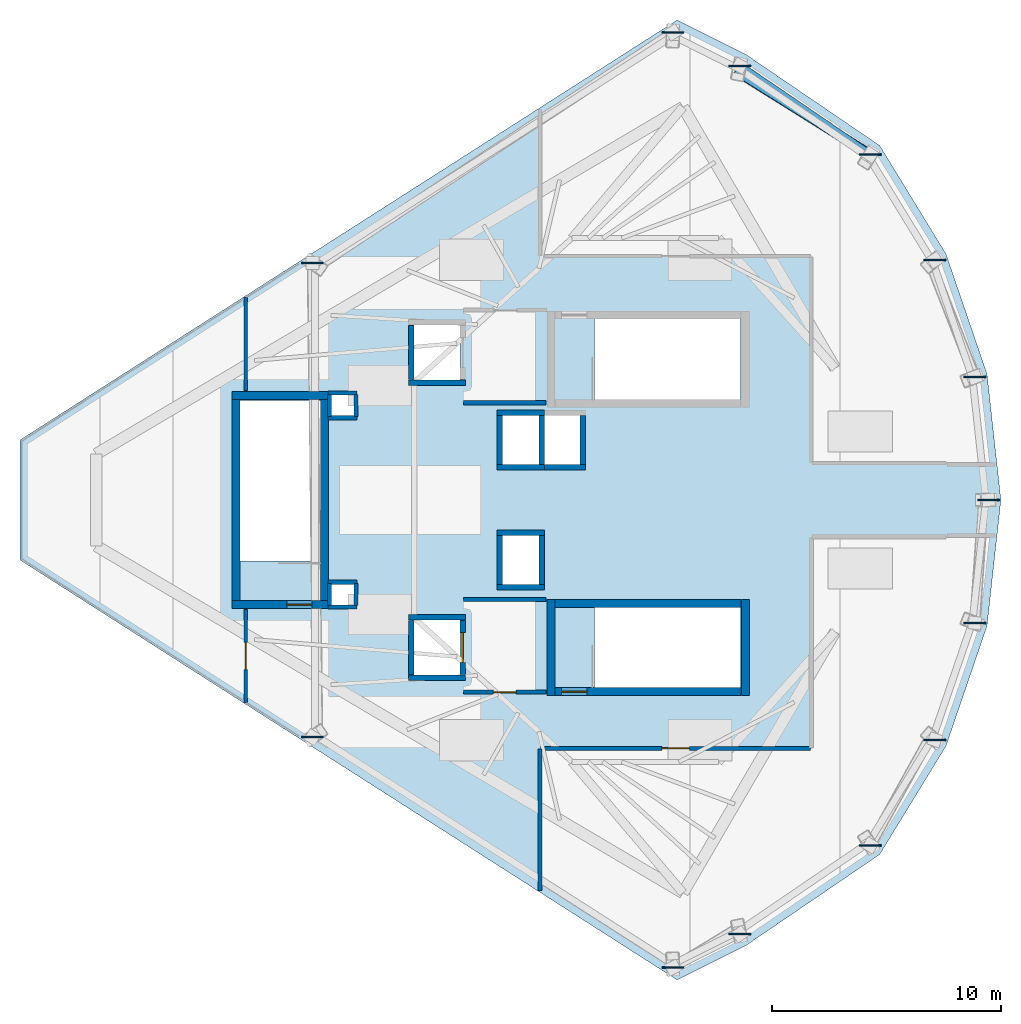
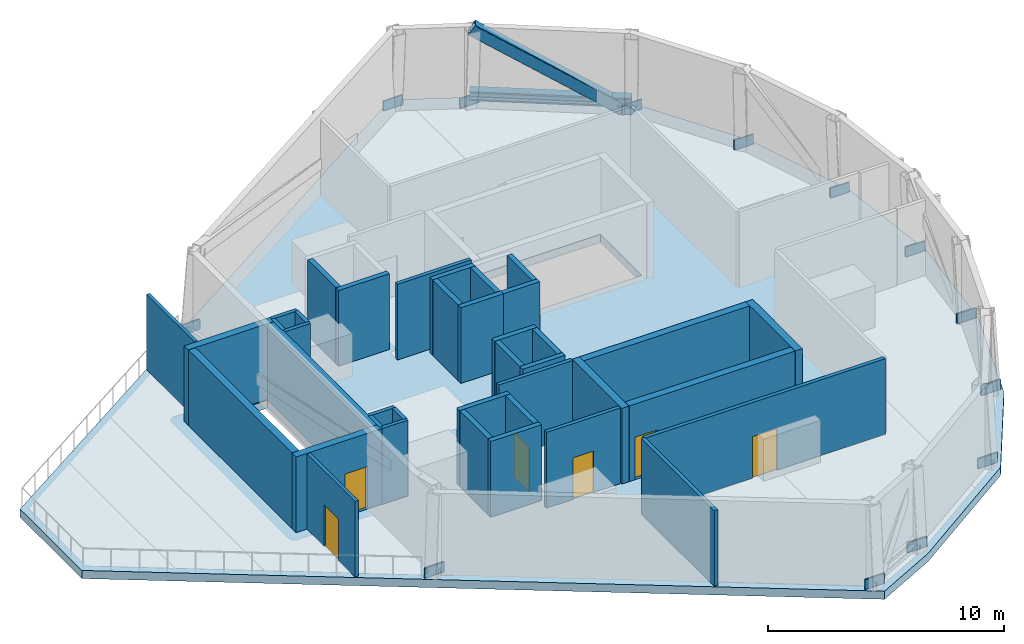
# One storey, part 2 of 4: 39 walls, 13 plates, 6 doors, 2 members, 1 slab, 6 openings.
"""IFC4 building model written with IfcOpenShell, lengths in metres."""

from ifc_helpers import new_model, si_unit, direction, frame, frame_2d, origin, origin_2d, place, context, subcontext, project, spatial, polyline, rectangle, hollow_rectangle, i_section, outline, extrude, material, layer, layer_set, material_profile, profile_set, type_object, element, fill, save


model = new_model("IFC4")

# Units and contexts
model_context = context("Model", 3, precision=1e-05, world=origin(), true_north=direction((0.0, 1.0)))
body_context = subcontext(model_context, "Body", "Model", "MODEL_VIEW")
ifc_project = project(units=[si_unit("LENGTHUNIT", "METRE"), si_unit("AREAUNIT", "SQUARE_METRE"), si_unit("VOLUMEUNIT", "CUBIC_METRE"), si_unit("PLANEANGLEUNIT", "RADIAN"), si_unit("MASSUNIT", "GRAM", prefix="KILO")], contexts=[model_context])

# Site, building, storey
site_placement = place(None, origin())
site = spatial("IfcSite", under=ifc_project, at=site_placement, CompositionType="ELEMENT")
building_placement = place(site_placement, origin())
building = spatial("IfcBuilding", under=site, at=building_placement, Name="Qorvath Tower", CompositionType="ELEMENT")
storey_placement = place(building_placement, frame((0.0, 0.0, 327.0)))
storey = spatial("IfcBuildingStorey", under=building, at=storey_placement, Name="L76", CompositionType="ELEMENT", Elevation=327.0)

# Members
ifc_material_1 = material(Name="Steel ASTM A572 Grade 50", Category="steel")
ifc_material_profile_1 = material_profile(ifc_material_1, hollow_rectangle(XDim=0.449951171875, YDim=0.60009765625, WallThickness=0.02490234375, InnerFilletRadius=0.02490234375, OuterFilletRadius=0.050048828125, at=origin_2d()), Name="CROWN BOX 600x450x25")
ifc_profile_set_1 = profile_set([ifc_material_profile_1], Name="Steel ASTM A572 Grade 50")
member_type_1 = type_object("IfcMemberType", Name="MEM-CF2", PredefinedType="USERDEFINED", material=ifc_profile_set_1)
member_1_placement = place(storey_placement, frame((-10.559814453125, 15.095703125, 0.0), z_axis=(-0.721424421859, 0.450661036278, 0.525786490817), x_axis=(-0.529805140065, -0.848119398175, 0.0)))
element("IfcMember", 1, at=member_1_placement, inside=storey, type_object=member_type_1, Name="CROWN FRAME Diagonal Brace L76-11", ObjectType="CROWN FRAME", PredefinedType="USERDEFINED", context=body_context, shape_type="SweptSolid", body=[
    extrude(hollow_rectangle(XDim=0.449951171875, YDim=0.60009765625, WallThickness=0.02490234375, InnerFilletRadius=0.02490234375, OuterFilletRadius=0.050048828125, at=origin_2d()), origin(), (0.0, 0.0, 1.0), 7.988037109375),
])
ifc_material_2 = material(Name="Steel ASTM A913 Grade 65", Category="steel")
ifc_material_profile_2 = material_profile(ifc_material_2, i_section(OverallWidth=0.4189453125, OverallDepth=0.455078125, WebThickness=0.0419921875, FlangeThickness=0.067626953125, FilletRadius=0.02490234375, at=origin_2d()), Name="W14x370")
ifc_profile_set_2 = profile_set([ifc_material_profile_2], Name="Steel ASTM A913 Grade 65")
member_type_2 = type_object("IfcMemberType", Name="MEM-OT2", PredefinedType="CHORD", material=ifc_profile_set_2)
member_2_placement = place(storey_placement, frame((-10.5810546875, 15.061767578125, 0.6298828125), z_axis=(-0.826662042424, 0.562698736107, 0.0), x_axis=(-0.562698736107, -0.826662042424, 0.0)))
element("IfcMember", 2, at=member_2_placement, inside=storey, type_object=member_type_2, Name="Belt Truss Chord L76-2", PredefinedType="CHORD", context=body_context, shape_type="SweptSolid", body=[
    extrude(i_section(OverallWidth=0.4189453125, OverallDepth=0.455078125, WebThickness=0.0419921875, FlangeThickness=0.067626953125, FilletRadius=0.02490234375, at=origin_2d()), origin(), (0.0, 0.0, 1.0), 6.8876953125),
])

# Plates
ifc_material_3 = material(Name="Steel ASTM A572 Grade 50", Category="steel")
ifc_layer_1 = layer(ifc_material_3, 0.06494140625)
ifc_layer_set_1 = layer_set([ifc_layer_1], Name="PL-CFB1")
plate_type = type_object("IfcPlateType", Name="PL-CFB1", PredefinedType="SHEET", material=ifc_layer_set_1)
for number, where, z_axis, x_axis, name in (
    (3, (-34.949951171875, 10.365478515625, -0.4423828125), (0.0, 0.0, 1.0), (1.0, 0.0, 0.0), "Crown Frame Leg Base Plate CFB-01"),
    (4, (-34.949951171875, -10.365478515625, -0.4423828125), (0.0, 0.0, 1.0), (1.0, 0.0, 0.0), "Crown Frame Leg Base Plate CFB-02"),
    (5, (-19.1865234375, -20.440185546875, -0.4423828125), (0.0, 0.0, 1.0), (1.0, 0.0, 0.0), "Crown Frame Leg Base Plate CFB-03"),
    (6, (-16.2666015625, -18.980224609375, -0.4423828125), (0.0, 0.0, 1.0), (1.0, 0.0, 0.0), "Crown Frame Leg Base Plate CFB-04"),
    (7, (-10.559814453125, -15.095703125, -0.4423828125), (0.0, 0.0, 1.0), (1.0, 0.0, 0.0), "Crown Frame Leg Base Plate CFB-05"),
    (8, (-7.739013671875, -10.485595703125, -0.4423828125), (0.0, 0.0, 1.0), (1.0, 0.0, 0.0), "Crown Frame Leg Base Plate CFB-06"),
    (9, (-5.990478515625, -5.371826171875, -0.4423828125), (0.0, 0.0, 1.0), (1.0, 0.0, 0.0), "Crown Frame Leg Base Plate CFB-07"),
    (10, (-5.398193359375, 0.0, -0.4423828125), (0.0, 0.0, 1.0), (1.0, 0.0, 0.0), "Crown Frame Leg Base Plate CFB-08"),
    (11, (-5.990478515625, 5.371826171875, -0.4423828125), (0.0, 0.0, 1.0), (1.0, 0.0, 0.0), "Crown Frame Leg Base Plate CFB-09"),
    (12, (-7.739013671875, 10.485595703125, -0.4423828125), (0.0, 0.0, 1.0), (1.0, 0.0, 0.0), "Crown Frame Leg Base Plate CFB-10"),
    (13, (-10.559814453125, 15.095703125, -0.4423828125), (0.0, 0.0, 1.0), (1.0, 0.0, 0.0), "Crown Frame Leg Base Plate CFB-11"),
    (14, (-16.2666015625, 18.980224609375, -0.4423828125), (0.0, 0.0, 1.0), (1.0, 0.0, 0.0), "Crown Frame Leg Base Plate CFB-12"),
    (15, (-19.1865234375, 20.440185546875, -0.4423828125), (0.0, 0.0, 1.0), (1.0, 0.0, 0.0), "Crown Frame Leg Base Plate CFB-13"),
):
    element("IfcPlate", number, at=place(storey_placement, frame(where, z_axis=z_axis, x_axis=x_axis)), inside=storey, type_object=plate_type, Name=name, PredefinedType="SHEET", context=body_context, shape_type="SweptSolid", body=[
        extrude(rectangle(XDim=0.949951171875, YDim=0.06494140625, at=origin_2d()), origin(), (0.0, 0.0, 1.0), 0.949951171875),
    ])

# Slab
ifc_material_4 = material(Name="Concrete C50/60", Category="concrete")
ifc_layer_2 = layer(ifc_material_4, 0.419921875)
ifc_layer_set_2 = layer_set([ifc_layer_2], Name="SL-TRF-420")
slab_type = type_object("IfcSlabType", Name="SL-TRF-420", PredefinedType="FLOOR", material=ifc_layer_set_2)
slab_placement = place(storey_placement, frame((0.0, 0.0, -0.419921875)))
element("IfcSlab", 16, at=slab_placement, inside=storey, type_object=slab_type, Name="Tower Crown Mechanical Transfer Deck L76", PredefinedType="FLOOR", context=body_context, shape_type="SweptSolid", body=[
    extrude(outline(polyline([(-47.733154296875, 2.623046875), (-47.733154296875, -2.623046875), (-19.00537109375, -20.98388671875), (-16.0078125, -19.485107421875), (-10.149169921875, -15.4970703125), (-7.25341796875, -10.764404296875), (-5.45849609375, -5.5146484375), (-4.850341796875, 0.0), (-5.45849609375, 5.5146484375), (-7.25341796875, 10.764404296875), (-10.149169921875, 15.4970703125), (-16.0078125, 19.485107421875), (-19.00537109375, 20.98388671875), (-47.733154296875, 2.623046875)]), holes=[polyline([(-16.2451171875, -8.199951171875), (-22.625, -8.199951171875), (-22.625, -4.68994140625), (-16.2451171875, -4.68994140625), (-16.2451171875, -8.199951171875)]), polyline([(-22.625, 4.39990234375), (-22.625, 7.909912109375), (-16.2451171875, 7.909912109375), (-16.2451171875, 4.39990234375), (-22.625, 4.39990234375)]), polyline([(-23.25, 1.550048828125), (-24.85009765625, 1.550048828125), (-24.85009765625, 3.699951171875), (-23.25, 3.699951171875), (-23.25, 1.550048828125)]), polyline([(-26.64990234375, -3.699951171875), (-26.64990234375, -1.550048828125), (-25.050048828125, -1.550048828125), (-25.050048828125, -3.699951171875), (-26.64990234375, -3.699951171875)]), polyline([(-25.050048828125, 1.550048828125), (-26.64990234375, 1.550048828125), (-26.64990234375, 3.699951171875), (-25.050048828125, 3.699951171875), (-25.050048828125, 1.550048828125)]), polyline([(-28.5, -7.64990234375), (-30.5, -7.64990234375), (-30.5, -5.25), (-28.5, -5.25), (-28.5, -7.64990234375)]), polyline([(-30.5, 5.25), (-30.5, 7.64990234375), (-28.5, 7.64990234375), (-28.5, 5.25), (-30.5, 5.25)]), polyline([(-33.10009765625, -4.6201171875), (-34.14990234375, -4.6201171875), (-34.14990234375, -3.64990234375), (-33.10009765625, -3.64990234375), (-33.10009765625, -4.6201171875)]), polyline([(-33.10009765625, 3.64990234375), (-34.14990234375, 3.64990234375), (-34.14990234375, 4.6201171875), (-33.10009765625, 4.6201171875), (-33.10009765625, 3.64990234375)]), polyline([(-34.60009765625, -2.675048828125), (-38.110107421875, -2.675048828125), (-38.110107421875, 4.35498046875), (-34.60009765625, 4.35498046875), (-34.60009765625, -2.675048828125)])]), origin(), (0.0, 0.0, 1.0), 0.419921875),
])

# Walls
ifc_material_5 = material(Name="Gypsum shaftliner on steel studs", Category="steel")
ifc_layer_3 = layer(ifc_material_5, 0.179931640625)
ifc_layer_set_3 = layer_set([ifc_layer_3], Name="FW-LOBBY")
wall_type_1 = type_object("IfcWallType", Name="FW-LOBBY", PredefinedType="PARTITIONING", material=ifc_layer_set_3)
for number, where, z_axis, x_axis, name in (
    (17, (-32.989990234375, 3.594970703125, 0.0), (0.0, 0.0, 1.0), (-1.0, 0.0, 0.0), "MEP Riser Shaft Enclosure Wall N-L76-S"),
    (18, (-34.260009765625, 4.675048828125, 0.0), (0.0, 0.0, 1.0), (1.0, 0.0, 0.0), "MEP Riser Shaft Enclosure Wall N-L76-N"),
):
    element("IfcWall", number, at=place(storey_placement, frame(where, z_axis=z_axis, x_axis=x_axis)), inside=storey, type_object=wall_type_1, Name=name, PredefinedType="PARTITIONING", context=body_context, shape_type="SweptSolid", body=[
        extrude(rectangle(XDim=1.27001953125, YDim=0.179931640625, at=frame_2d((0.635009765625, 0.0))), origin(), (0.0, 0.0, 1.0), 3.919921875),
    ])
for number, where, z_axis, x_axis, name in (
    (19, (-34.205078125, 3.659912109375, 0.0), (0.0, 0.0, 1.0), (0.0, 1.0, 0.0), "MEP Riser Shaft Enclosure Wall N-L76-W"),
    (20, (-33.044921875, 4.610107421875, 0.0), (0.0, 0.0, 1.0), (0.0, -1.0, 0.0), "MEP Riser Shaft Enclosure Wall N-L76-E"),
):
    element("IfcWall", number, at=place(storey_placement, frame(where, z_axis=z_axis, x_axis=x_axis)), inside=storey, type_object=wall_type_1, Name=name, PredefinedType="PARTITIONING", context=body_context, shape_type="SweptSolid", body=[
        extrude(rectangle(XDim=0.9501953125, YDim=0.179931640625, at=frame_2d((0.47509765625, 0.0))), origin(), (0.0, 0.0, 1.0), 3.919921875),
    ])
for number, where, z_axis, x_axis, name in (
    (21, (-32.989990234375, -4.675048828125, 0.0), (0.0, 0.0, 1.0), (-1.0, 0.0, 0.0), "MEP Riser Shaft Enclosure Wall S-L76-S"),
    (22, (-34.260009765625, -3.594970703125, 0.0), (0.0, 0.0, 1.0), (1.0, 0.0, 0.0), "MEP Riser Shaft Enclosure Wall S-L76-N"),
):
    element("IfcWall", number, at=place(storey_placement, frame(where, z_axis=z_axis, x_axis=x_axis)), inside=storey, type_object=wall_type_1, Name=name, PredefinedType="PARTITIONING", context=body_context, shape_type="SweptSolid", body=[
        extrude(rectangle(XDim=1.27001953125, YDim=0.179931640625, at=frame_2d((0.635009765625, 0.0))), origin(), (0.0, 0.0, 1.0), 3.919921875),
    ])
for number, where, z_axis, x_axis, name in (
    (23, (-34.205078125, -4.610107421875, 0.0), (0.0, 0.0, 1.0), (0.0, 1.0, 0.0), "MEP Riser Shaft Enclosure Wall S-L76-W"),
    (24, (-33.044921875, -3.659912109375, 0.0), (0.0, 0.0, 1.0), (0.0, -1.0, 0.0), "MEP Riser Shaft Enclosure Wall S-L76-E"),
):
    element("IfcWall", number, at=place(storey_placement, frame(where, z_axis=z_axis, x_axis=x_axis)), inside=storey, type_object=wall_type_1, Name=name, PredefinedType="PARTITIONING", context=body_context, shape_type="SweptSolid", body=[
        extrude(rectangle(XDim=0.9501953125, YDim=0.179931640625, at=frame_2d((0.47509765625, 0.0))), origin(), (0.0, 0.0, 1.0), 3.919921875),
    ])
wall_1_placement = place(storey_placement, frame((-28.35498046875, 4.25, 0.0), z_axis=(0.0, 0.0, 1.0), x_axis=(1.0, 0.0, 0.0)))
element("IfcWall", 25, at=wall_1_placement, inside=storey, type_object=wall_type_1, Name="Interior Partition IW-T1-L76-001", PredefinedType="PARTITIONING", context=body_context, shape_type="SweptSolid", body=[
    extrude(rectangle(XDim=3.6220703125, YDim=0.179931640625, at=frame_2d((1.81103515625, 0.0))), origin(), (0.0, 0.0, 1.0), 3.919921875),
])

# Wall, opening, door
wall_2_placement = place(storey_placement, frame((-28.35498046875, -8.39990234375, 0.0), z_axis=(0.0, 0.0, 1.0), x_axis=(1.0, 0.0, 0.0)))
wall_2 = element("IfcWall", 26, at=wall_2_placement, inside=storey, type_object=wall_type_1, Name="Interior Partition IW-T1-L76-003", PredefinedType="PARTITIONING", context=body_context, shape_type="SweptSolid", body=[
    extrude(rectangle(XDim=3.6220703125, YDim=0.179931640625, at=frame_2d((1.81103515625, 0.0))), origin(), (0.0, 0.0, 1.0), 3.919921875),
])
opening_1_placement = place(wall_2_placement, frame((1.31103515625, 0.0, 0.0)))
opening_1 = element("IfcOpeningElement", 27, at=opening_1_placement, cuts=wall_2, Name="Opening D-T1-L76-05", PredefinedType="OPENING", context=body_context, shape_type="SweptSolid", body=[
    extrude(rectangle(XDim=1.0, YDim=2.14990234375, at=frame_2d((0.5, 1.074951171875))), frame((0.0, 0.10009765625, 0.0), z_axis=(0.0, -1.0, 0.0), x_axis=(1.0, 0.0, 0.0)), (0.0, 0.0, 1.0), 0.199951171875),
])
ifc_material_6 = material(Name="Painted galvanised hollow metal", Category="steel")
door_type_1 = type_object("IfcDoorType", Name="FD-60", OperationType="NOTDEFINED", PredefinedType="DOOR", material=ifc_material_6)
door_1_placement = place(opening_1_placement, origin())
door_1 = element("IfcDoor", 28, at=door_1_placement, inside=storey, type_object=door_type_1, Name="Lobby Fire Service Elevator South Door D-T1-L76-05", OperationType="SINGLE_SWING_LEFT", OverallHeight=2.14990234375, OverallWidth=1.0, PredefinedType="DOOR", context=body_context, shape_type="SweptSolid", body=[
    extrude(rectangle(XDim=1.0, YDim=2.14990234375, at=frame_2d((0.5, 1.074951171875))), frame((0.0, 0.02490234375, 0.0), z_axis=(0.0, -1.0, 0.0), x_axis=(1.0, 0.0, 0.0)), (0.0, 0.0, 1.0), 0.050048828125),
])
fill(opening_1, door_1)

# Wall
wall_3_placement = place(storey_placement, frame((-24.73291015625, -4.35009765625, 0.0), z_axis=(0.0, 0.0, 1.0), x_axis=(-1.0, 0.0, 0.0)))
element("IfcWall", 29, at=wall_3_placement, inside=storey, type_object=wall_type_1, Name="Interior Partition IW-T1-L76-004", PredefinedType="PARTITIONING", context=body_context, shape_type="SweptSolid", body=[
    extrude(rectangle(XDim=3.6220703125, YDim=0.179931640625, at=frame_2d((1.81103515625, 0.0))), origin(), (0.0, 0.0, 1.0), 3.919921875),
])

# Wall, opening, door
wall_4_placement = place(storey_placement, frame((-13.1669921875, -10.85791015625, 0.0), z_axis=(0.0, 0.0, 1.0), x_axis=(-1.0, 0.0, 0.0)))
wall_4 = element("IfcWall", 30, at=wall_4_placement, inside=storey, type_object=wall_type_1, Name="Interior Partition IW-T1-L76-015", PredefinedType="PARTITIONING", context=body_context, shape_type="SweptSolid", body=[
    extrude(rectangle(XDim=11.80810546875, YDim=0.179931640625, at=frame_2d((5.904052734375, 0.0))), origin(), (0.0, 0.0, 1.0), 3.919921875),
])
opening_2_placement = place(wall_4_placement, frame((5.303955078125, 0.0, 0.0)))
opening_2 = element("IfcOpeningElement", 31, at=opening_2_placement, cuts=wall_4, Name="Opening D-T1-L76-03", PredefinedType="OPENING", context=body_context, shape_type="SweptSolid", body=[
    extrude(rectangle(XDim=1.199951171875, YDim=2.14990234375, at=frame_2d((0.60009765625, 1.074951171875))), frame((0.0, 0.10009765625, 0.0), z_axis=(0.0, -1.0, 0.0), x_axis=(1.0, 0.0, 0.0)), (0.0, 0.0, 1.0), 0.199951171875),
])
ifc_material_7 = material(Name="Painted galvanised hollow metal", Category="steel")
door_type_2 = type_object("IfcDoorType", Name="FD-60W", OperationType="NOTDEFINED", PredefinedType="DOOR", material=ifc_material_7)
door_2_placement = place(opening_2_placement, origin())
door_2 = element("IfcDoor", 32, at=door_2_placement, inside=storey, type_object=door_type_2, Name="Plant Electrical Switchgear Room L76 Door D-T1-L76-03", OperationType="SINGLE_SWING_LEFT", OverallHeight=2.14990234375, OverallWidth=1.199951171875, PredefinedType="DOOR", context=body_context, shape_type="SweptSolid", body=[
    extrude(rectangle(XDim=1.199951171875, YDim=2.14990234375, at=frame_2d((0.60009765625, 1.074951171875))), frame((0.0, 0.02490234375, 0.0), z_axis=(0.0, -1.0, 0.0), x_axis=(1.0, 0.0, 0.0)), (0.0, 0.0, 1.0), 0.050048828125),
])
fill(opening_2, door_2)

# Wall
wall_5_placement = place(storey_placement, frame((-25.0, -10.8828125, 0.0), z_axis=(0.0, 0.0, 1.0), x_axis=(0.0, -1.0, 0.0)))
element("IfcWall", 33, at=wall_5_placement, inside=storey, type_object=wall_type_1, Name="Interior Partition IW-T1-L76-016", PredefinedType="PARTITIONING", context=body_context, shape_type="SweptSolid", body=[
    extrude(rectangle(XDim=6.189697265625, YDim=0.179931640625, at=frame_2d((3.0947265625, 0.0))), origin(), (0.0, 0.0, 1.0), 3.919921875),
])

# Wall, opening, door
ifc_material_8 = material(Name="Double acoustic gypsum board on steel studs", Category="steel")
ifc_layer_4 = layer(ifc_material_8, 0.159912109375)
ifc_layer_set_4 = layer_set([ifc_layer_4], Name="IW-ACOUSTIC-160")
wall_type_2 = type_object("IfcWallType", Name="IW-ACOUSTIC-160", PredefinedType="PARTITIONING", material=ifc_layer_set_4)
wall_6_placement = place(storey_placement, frame((-37.85791015625, -8.8544921875, 0.0), z_axis=(0.0, 0.0, 1.0), x_axis=(0.0, 1.0, 0.0)))
wall_6 = element("IfcWall", 34, at=wall_6_placement, inside=storey, type_object=wall_type_2, Name="Interior Partition IW-T1-L76-005", PredefinedType="PARTITIONING", context=body_context, shape_type="SweptSolid", body=[
    extrude(rectangle(XDim=4.0712890625, YDim=0.159912109375, at=frame_2d((2.03564453125, 0.0))), origin(), (0.0, 0.0, 1.0), 3.919921875),
])
opening_3_placement = place(wall_6_placement, frame((1.435546875, 0.0, 0.0)))
opening_3 = element("IfcOpeningElement", 35, at=opening_3_placement, cuts=wall_6, Name="Opening D-T1-L76-01", PredefinedType="OPENING", context=body_context, shape_type="SweptSolid", body=[
    extrude(rectangle(XDim=1.199951171875, YDim=2.14990234375, at=frame_2d((0.60009765625, 1.074951171875))), frame((0.0, 0.08984375, 0.0), z_axis=(0.0, -1.0, 0.0), x_axis=(1.0, 0.0, 0.0)), (0.0, 0.0, 1.0), 0.179931640625),
])
ifc_material_9 = material(Name="Painted hollow steel utility leaf", Category="steel")
door_type_3 = type_object("IfcDoorType", Name="D-05", OperationType="NOTDEFINED", PredefinedType="DOOR", material=ifc_material_9)
door_3_placement = place(opening_3_placement, origin())
door_3 = element("IfcDoor", 36, at=door_3_placement, inside=storey, type_object=door_type_3, Name="Plant Hydronic Pumping Room L76 Door D-T1-L76-01", OperationType="SINGLE_SWING_LEFT", OverallHeight=2.14990234375, OverallWidth=1.199951171875, PredefinedType="DOOR", context=body_context, shape_type="SweptSolid", body=[
    extrude(rectangle(XDim=1.199951171875, YDim=2.14990234375, at=frame_2d((0.60009765625, 1.074951171875))), frame((0.0, 0.02490234375, 0.0), z_axis=(0.0, -1.0, 0.0), x_axis=(1.0, 0.0, 0.0)), (0.0, 0.0, 1.0), 0.050048828125),
])
fill(opening_3, door_3)

# Walls
wall_7_placement = place(storey_placement, frame((-37.85791015625, 4.783203125, 0.0), z_axis=(0.0, 0.0, 1.0), x_axis=(0.0, 1.0, 0.0)))
element("IfcWall", 37, at=wall_7_placement, inside=storey, type_object=wall_type_2, Name="Interior Partition IW-T1-L76-006", PredefinedType="PARTITIONING", context=body_context, shape_type="SweptSolid", body=[
    extrude(rectangle(XDim=4.0712890625, YDim=0.159912109375, at=frame_2d((2.03564453125, 0.0))), origin(), (0.0, 0.0, 1.0), 3.919921875),
])
ifc_material_10 = material(Name="Concrete C60/75", Category="concrete")
ifc_layer_5 = layer(ifc_material_10, 0.260009765625)
ifc_layer_set_5 = layer_set([ifc_layer_5], Name="SW-SHAFT")
wall_type_3 = type_object("IfcWallType", Name="SW-SHAFT", PredefinedType="SHEAR", material=ifc_layer_set_5)
wall_8_placement = place(storey_placement, frame((-28.260009765625, 5.1298828125, 0.0), z_axis=(0.0, 0.0, 1.0), x_axis=(-1.0, 0.0, 0.0)))
element("IfcWall", 38, at=wall_8_placement, inside=storey, type_object=wall_type_3, Name="Hoistway Wall FSAE-1 L76 S", PredefinedType="SHEAR", context=body_context, shape_type="SweptSolid", body=[
    extrude(rectangle(XDim=2.47998046875, YDim=0.239990234375, at=frame_2d((1.239990234375, 0.0))), origin(), (0.0, 0.0, 1.0), 3.919921875),
])
wall_9_placement = place(storey_placement, frame((-30.6201171875, 5.261962890625, 0.0), z_axis=(0.0, 0.0, 1.0), x_axis=(0.0, 1.0, 0.0)))
element("IfcWall", 39, at=wall_9_placement, inside=storey, type_object=wall_type_3, Name="Hoistway Wall FSAE-1 L76 W", PredefinedType="SHEAR", context=body_context, shape_type="SweptSolid", body=[
    extrude(rectangle(XDim=2.3759765625, YDim=0.239990234375, at=frame_2d((1.18798828125, 0.0))), origin(), (0.0, 0.0, 1.0), 3.919921875),
])
for number, where, z_axis, x_axis, name in (
    (40, (-28.260009765625, -7.77001953125, 0.0), (0.0, 0.0, 1.0), (-1.0, 0.0, 0.0), "Hoistway Wall FSAE-2 L76 S"),
    (41, (-30.739990234375, -5.1298828125, 0.0), (0.0, 0.0, 1.0), (1.0, 0.0, 0.0), "Hoistway Wall FSAE-2 L76 N"),
):
    element("IfcWall", number, at=place(storey_placement, frame(where, z_axis=z_axis, x_axis=x_axis)), inside=storey, type_object=wall_type_3, Name=name, PredefinedType="SHEAR", context=body_context, shape_type="SweptSolid", body=[
        extrude(rectangle(XDim=2.47998046875, YDim=0.239990234375, at=frame_2d((1.239990234375, 0.0))), origin(), (0.0, 0.0, 1.0), 3.919921875),
    ])
wall_10_placement = place(storey_placement, frame((-30.6201171875, -7.637939453125, 0.0), z_axis=(0.0, 0.0, 1.0), x_axis=(0.0, 1.0, 0.0)))
element("IfcWall", 42, at=wall_10_placement, inside=storey, type_object=wall_type_3, Name="Hoistway Wall FSAE-2 L76 W", PredefinedType="SHEAR", context=body_context, shape_type="SweptSolid", body=[
    extrude(rectangle(XDim=2.3759765625, YDim=0.239990234375, at=frame_2d((1.18798828125, 0.0))), origin(), (0.0, 0.0, 1.0), 3.919921875),
])

# Wall, opening, door
wall_11_placement = place(storey_placement, frame((-28.3798828125, -5.261962890625, 0.0), z_axis=(0.0, 0.0, 1.0), x_axis=(0.0, -1.0, 0.0)))
wall_11 = element("IfcWall", 43, at=wall_11_placement, inside=storey, type_object=wall_type_3, Name="Hoistway Wall FSAE-2 L76 E", PredefinedType="SHEAR", context=body_context, shape_type="SweptSolid", body=[
    extrude(rectangle(XDim=2.3759765625, YDim=0.239990234375, at=frame_2d((1.18798828125, 0.0))), origin(), (0.0, 0.0, 1.0), 3.919921875),
])
opening_4_placement = place(wall_11_placement, frame((0.5380859375, 0.0, 0.0)))
opening_4 = element("IfcOpeningElement", 44, at=opening_4_placement, cuts=wall_11, Name="Opening LD-FSAE-2-L76", PredefinedType="OPENING", context=body_context, shape_type="SweptSolid", body=[
    extrude(rectangle(XDim=1.300048828125, YDim=2.300048828125, at=frame_2d((0.64990234375, 1.14990234375))), frame((0.0, 0.1298828125, 0.0), z_axis=(0.0, -1.0, 0.0), x_axis=(1.0, 0.0, 0.0)), (0.0, 0.0, 1.0), 0.260009765625),
])
ifc_material_11 = material(Name="Brushed stainless steel AISI 316", Category="steel")
door_type_4 = type_object("IfcDoorType", Name="LD-02", OperationType="NOTDEFINED", PredefinedType="DOOR", material=ifc_material_11)
door_4_placement = place(opening_4_placement, origin())
door_4 = element("IfcDoor", 45, at=door_4_placement, inside=storey, type_object=door_type_4, Name="Elevator Landing Sliding Door LD-FSAE-2-L76", OperationType="DOUBLE_DOOR_SLIDING", OverallHeight=2.300048828125, OverallWidth=1.300048828125, PredefinedType="DOOR", context=body_context, shape_type="SweptSolid", body=[
    extrude(rectangle(XDim=1.300048828125, YDim=2.300048828125, at=frame_2d((0.64990234375, 1.14990234375))), frame((0.0, 0.02490234375, 0.0), z_axis=(0.0, -1.0, 0.0), x_axis=(1.0, 0.0, 0.0)), (0.0, 0.0, 1.0), 0.050048828125),
])
fill(opening_4, door_4)

# Walls
for number, where, z_axis, x_axis, name in (
    (46, (-24.81005859375, 1.429931640625, 0.0), (0.0, 0.0, 1.0), (-1.0, 0.0, 0.0), "Hoistway Wall PH-1 L76 S"),
    (47, (-26.889892578125, 3.820068359375, 0.0), (0.0, 0.0, 1.0), (1.0, 0.0, 0.0), "Hoistway Wall PH-1 L76 N"),
):
    element("IfcWall", number, at=place(storey_placement, frame(where, z_axis=z_axis, x_axis=x_axis)), inside=storey, type_object=wall_type_3, Name=name, PredefinedType="SHEAR", context=body_context, shape_type="SweptSolid", body=[
        extrude(rectangle(XDim=2.079833984375, YDim=0.239990234375, at=frame_2d((1.0400390625, 0.0))), origin(), (0.0, 0.0, 1.0), 3.919921875),
    ])
for number, where, z_axis, x_axis, name in (
    (48, (-26.77001953125, 1.56201171875, 0.0), (0.0, 0.0, 1.0), (0.0, 1.0, 0.0), "Hoistway Wall PH-1 L76 W"),
    (49, (-24.929931640625, 3.68798828125, 0.0), (0.0, 0.0, 1.0), (0.0, -1.0, 0.0), "Hoistway Wall PH-1 L76 E"),
):
    element("IfcWall", number, at=place(storey_placement, frame(where, z_axis=z_axis, x_axis=x_axis)), inside=storey, type_object=wall_type_3, Name=name, PredefinedType="SHEAR", context=body_context, shape_type="SweptSolid", body=[
        extrude(rectangle(XDim=2.1259765625, YDim=0.239990234375, at=frame_2d((1.06298828125, 0.0))), origin(), (0.0, 0.0, 1.0), 3.919921875),
    ])
wall_12_placement = place(storey_placement, frame((-23.010009765625, 1.429931640625, 0.0), z_axis=(0.0, 0.0, 1.0), x_axis=(-1.0, 0.0, 0.0)))
element("IfcWall", 50, at=wall_12_placement, inside=storey, type_object=wall_type_3, Name="Hoistway Wall PH-2 L76 S", PredefinedType="SHEAR", context=body_context, shape_type="SweptSolid", body=[
    extrude(rectangle(XDim=1.800048828125, YDim=0.239990234375, at=frame_2d((0.89990234375, 0.0))), origin(), (0.0, 0.0, 1.0), 3.919921875),
])
wall_13_placement = place(storey_placement, frame((-23.1298828125, 3.68798828125, 0.0), z_axis=(0.0, 0.0, 1.0), x_axis=(0.0, -1.0, 0.0)))
element("IfcWall", 51, at=wall_13_placement, inside=storey, type_object=wall_type_3, Name="Hoistway Wall PH-2 L76 E", PredefinedType="SHEAR", context=body_context, shape_type="SweptSolid", body=[
    extrude(rectangle(XDim=2.1259765625, YDim=0.239990234375, at=frame_2d((1.06298828125, 0.0))), origin(), (0.0, 0.0, 1.0), 3.919921875),
])
for number, where, z_axis, x_axis, name in (
    (52, (-24.81005859375, -3.820068359375, 0.0), (0.0, 0.0, 1.0), (-1.0, 0.0, 0.0), "Hoistway Wall PH-3 L76 S"),
    (53, (-26.889892578125, -1.429931640625, 0.0), (0.0, 0.0, 1.0), (1.0, 0.0, 0.0), "Hoistway Wall PH-3 L76 N"),
):
    element("IfcWall", number, at=place(storey_placement, frame(where, z_axis=z_axis, x_axis=x_axis)), inside=storey, type_object=wall_type_3, Name=name, PredefinedType="SHEAR", context=body_context, shape_type="SweptSolid", body=[
        extrude(rectangle(XDim=2.079833984375, YDim=0.239990234375, at=frame_2d((1.0400390625, 0.0))), origin(), (0.0, 0.0, 1.0), 3.919921875),
    ])
for number, where, z_axis, x_axis, name in (
    (54, (-26.77001953125, -3.68798828125, 0.0), (0.0, 0.0, 1.0), (0.0, 1.0, 0.0), "Hoistway Wall PH-3 L76 W"),
    (55, (-24.929931640625, -1.56201171875, 0.0), (0.0, 0.0, 1.0), (0.0, -1.0, 0.0), "Hoistway Wall PH-3 L76 E"),
):
    element("IfcWall", number, at=place(storey_placement, frame(where, z_axis=z_axis, x_axis=x_axis)), inside=storey, type_object=wall_type_3, Name=name, PredefinedType="SHEAR", context=body_context, shape_type="SweptSolid", body=[
        extrude(rectangle(XDim=2.1259765625, YDim=0.239990234375, at=frame_2d((1.06298828125, 0.0))), origin(), (0.0, 0.0, 1.0), 3.919921875),
    ])
ifc_material_12 = material(Name="Concrete C60/75", Category="concrete")
ifc_layer_6 = layer(ifc_material_12, 0.35009765625)
ifc_layer_set_6 = layer_set([ifc_layer_6], Name="SW-STAIR")
wall_type_4 = type_object("IfcWallType", Name="SW-STAIR", PredefinedType="SHEAR", material=ifc_layer_set_6)
for number, where, z_axis, x_axis, name in (
    (56, (-24.52490234375, -4.340087890625, 0.0), (0.0, 0.0, 1.0), (0.0, -1.0, 0.0), "Stair TS2 Shear Wall L76 NEAR"),
    (57, (-16.02490234375, -8.550048828125, 0.0), (0.0, 0.0, 1.0), (0.0, 1.0, 0.0), "Stair TS2 Shear Wall L76 FAR"),
):
    element("IfcWall", number, at=place(storey_placement, frame(where, z_axis=z_axis, x_axis=x_axis)), inside=storey, type_object=wall_type_4, Name=name, PredefinedType="SHEAR", context=body_context, shape_type="SweptSolid", body=[
        extrude(rectangle(XDim=4.2099609375, YDim=0.35009765625, at=frame_2d((2.10498046875, 0.0))), origin(), (0.0, 0.0, 1.0), 3.919921875),
    ])

# Wall, opening, door
wall_14_placement = place(storey_placement, frame((-24.3349609375, -8.375, 0.0), z_axis=(0.0, 0.0, 1.0), x_axis=(1.0, 0.0, 0.0)))
wall_14 = element("IfcWall", 58, at=wall_14_placement, inside=storey, type_object=wall_type_4, Name="Stair TS2 Shear Wall L76 LEFT", PredefinedType="SHEAR", context=body_context, shape_type="SweptSolid", body=[
    extrude(rectangle(XDim=8.119873046875, YDim=0.35009765625, at=frame_2d((4.06005859375, 0.0))), origin(), (0.0, 0.0, 1.0), 3.919921875),
])
opening_5_placement = place(wall_14_placement, frame((0.280029296875, 0.0, 0.0)))
opening_5 = element("IfcOpeningElement", 59, at=opening_5_placement, cuts=wall_14, Name="Opening D-TS2-L76", PredefinedType="OPENING", context=body_context, shape_type="SweptSolid", body=[
    extrude(rectangle(XDim=1.10009765625, YDim=2.199951171875, at=frame_2d((0.550048828125, 1.10009765625))), frame((0.0, 0.18505859375, 0.0), z_axis=(0.0, -1.0, 0.0), x_axis=(1.0, 0.0, 0.0)), (0.0, 0.0, 1.0), 0.3701171875),
])
ifc_material_13 = material(Name="Painted galvanised hollow metal", Category="steel")
door_type_5 = type_object("IfcDoorType", Name="FD-90", OperationType="NOTDEFINED", PredefinedType="DOOR", material=ifc_material_13)
door_5_placement = place(opening_5_placement, origin())
door_5 = element("IfcDoor", 60, at=door_5_placement, inside=storey, type_object=door_type_5, Name="Stair TS2 Fire Door L76", OperationType="SINGLE_SWING_LEFT", OverallHeight=2.199951171875, OverallWidth=1.10009765625, PredefinedType="DOOR", context=body_context, shape_type="SweptSolid", body=[
    extrude(rectangle(XDim=1.10009765625, YDim=2.199951171875, at=frame_2d((0.550048828125, 1.10009765625))), frame((0.0, 0.02490234375, 0.0), z_axis=(0.0, -1.0, 0.0), x_axis=(1.0, 0.0, 0.0)), (0.0, 0.0, 1.0), 0.050048828125),
])
fill(opening_5, door_5)

# Wall
wall_15_placement = place(storey_placement, frame((-16.215087890625, -4.514892578125, 0.0), z_axis=(0.0, 0.0, 1.0), x_axis=(-1.0, 0.0, 0.0)))
element("IfcWall", 61, at=wall_15_placement, inside=storey, type_object=wall_type_4, Name="Stair TS2 Shear Wall L76 RIGHT", PredefinedType="SHEAR", context=body_context, shape_type="SweptSolid", body=[
    extrude(rectangle(XDim=8.119873046875, YDim=0.35009765625, at=frame_2d((4.06005859375, 0.0))), origin(), (0.0, 0.0, 1.0), 3.919921875),
])

# Wall, opening, door
wall_16_placement = place(storey_placement, frame((-38.4599609375, -4.574951171875, 0.0), z_axis=(0.0, 0.0, 1.0), x_axis=(1.0, 0.0, 0.0)))
wall_16 = element("IfcWall", 62, at=wall_16_placement, inside=storey, type_object=wall_type_4, Name="Stair TS3 Shear Wall L76 NEAR", PredefinedType="SHEAR", context=body_context, shape_type="SweptSolid", body=[
    extrude(rectangle(XDim=4.2099609375, YDim=0.35009765625, at=frame_2d((2.10498046875, 0.0))), origin(), (0.0, 0.0, 1.0), 3.919921875),
])
opening_6_placement = place(wall_16_placement, frame((2.389892578125, 0.0, 0.0)))
opening_6 = element("IfcOpeningElement", 63, at=opening_6_placement, cuts=wall_16, Name="Opening D-TS3-L76", PredefinedType="OPENING", context=body_context, shape_type="SweptSolid", body=[
    extrude(rectangle(XDim=1.10009765625, YDim=2.199951171875, at=frame_2d((0.550048828125, 1.10009765625))), frame((0.0, 0.18505859375, 0.0), z_axis=(0.0, -1.0, 0.0), x_axis=(1.0, 0.0, 0.0)), (0.0, 0.0, 1.0), 0.3701171875),
])
door_6_placement = place(opening_6_placement, origin())
door_6 = element("IfcDoor", 64, at=door_6_placement, inside=storey, type_object=door_type_5, Name="Stair TS3 Fire Door L76", OperationType="SINGLE_SWING_LEFT", OverallHeight=2.199951171875, OverallWidth=1.10009765625, PredefinedType="DOOR", context=body_context, shape_type="SweptSolid", body=[
    extrude(rectangle(XDim=1.10009765625, YDim=2.199951171875, at=frame_2d((0.550048828125, 1.10009765625))), frame((0.0, 0.02490234375, 0.0), z_axis=(0.0, -1.0, 0.0), x_axis=(1.0, 0.0, 0.0)), (0.0, 0.0, 1.0), 0.050048828125),
])
fill(opening_6, door_6)

# Walls
wall_17_placement = place(storey_placement, frame((-34.25, 4.574951171875, 0.0), z_axis=(0.0, 0.0, 1.0), x_axis=(-1.0, 0.0, 0.0)))
element("IfcWall", 65, at=wall_17_placement, inside=storey, type_object=wall_type_4, Name="Stair TS3 Shear Wall L76 FAR", PredefinedType="SHEAR", context=body_context, shape_type="SweptSolid", body=[
    extrude(rectangle(XDim=4.2099609375, YDim=0.35009765625, at=frame_2d((2.10498046875, 0.0))), origin(), (0.0, 0.0, 1.0), 3.919921875),
])
for number, where, z_axis, x_axis, name in (
    (66, (-34.425048828125, -4.385009765625, 0.0), (0.0, 0.0, 1.0), (0.0, 1.0, 0.0), "Stair TS3 Shear Wall L76 LEFT"),
    (67, (-38.284912109375, 4.385009765625, 0.0), (0.0, 0.0, 1.0), (0.0, -1.0, 0.0), "Stair TS3 Shear Wall L76 RIGHT"),
):
    element("IfcWall", number, at=place(storey_placement, frame(where, z_axis=z_axis, x_axis=x_axis)), inside=storey, type_object=wall_type_4, Name=name, PredefinedType="SHEAR", context=body_context, shape_type="SweptSolid", body=[
        extrude(rectangle(XDim=8.77001953125, YDim=0.35009765625, at=frame_2d((4.385009765625, 0.0))), origin(), (0.0, 0.0, 1.0), 3.919921875),
    ])

save(model, "model.ifc")
